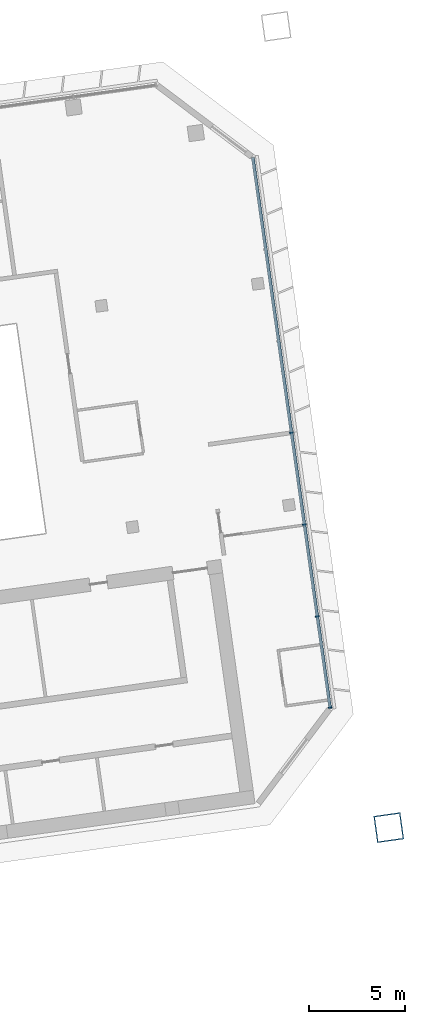
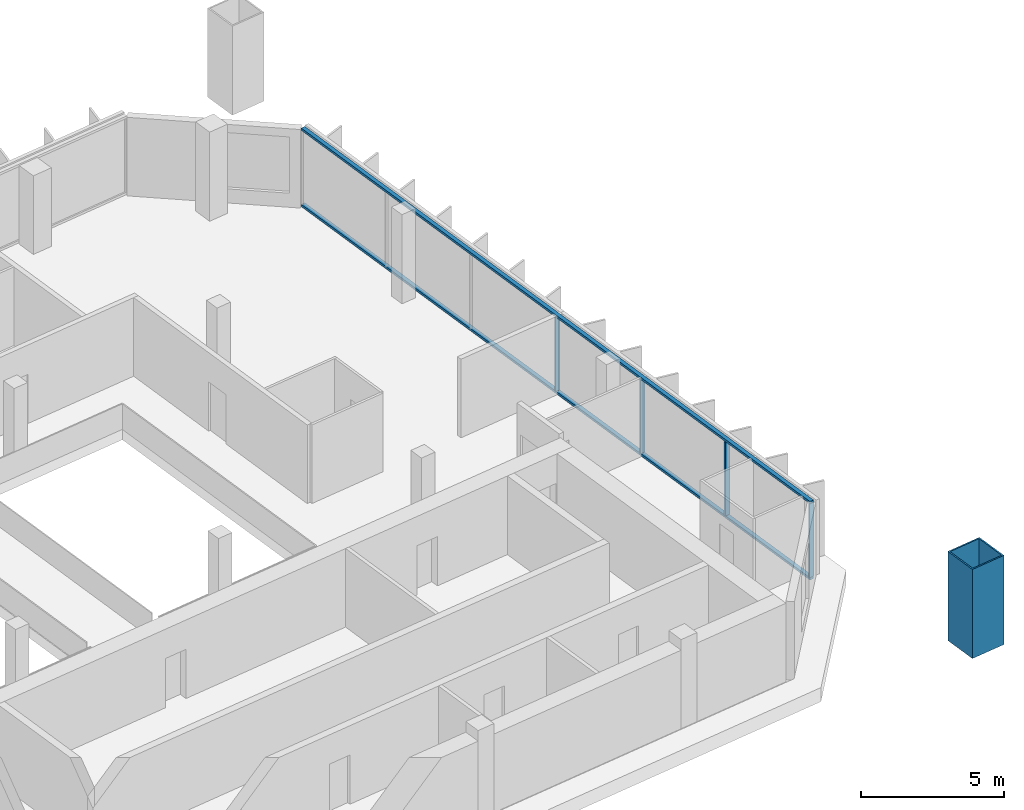
# One storey, part 11 of 26: 7 members, 1 element without a shape of its own.
"""IFC4 building model written with IfcOpenShell, lengths in metres."""

from ifc_helpers import new_model, si_unit, direction, frame, origin, origin_2d, place, context, subcontext, project, spatial, rectangle, hollow_rectangle, extrude, material, material_profile, profile_set, type_object, element, aggregate, save


model = new_model("IFC4")

# Units and contexts
model_context = context("Model", 3, precision=1e-05, world=origin(), true_north=direction((0.0, 1.0)))
body_context = subcontext(model_context, "Body", "Model", "MODEL_VIEW")
ifc_project = project(units=[si_unit("LENGTHUNIT", "METRE"), si_unit("AREAUNIT", "SQUARE_METRE"), si_unit("VOLUMEUNIT", "CUBIC_METRE"), si_unit("PLANEANGLEUNIT", "RADIAN"), si_unit("MASSUNIT", "GRAM", prefix="KILO")], contexts=[model_context])

# Site, building, storey
site_placement = place(None, origin())
site = spatial("IfcSite", under=ifc_project, at=site_placement, CompositionType="ELEMENT")
building_placement = place(site_placement, origin())
building = spatial("IfcBuilding", under=site, at=building_placement, Name="Mirante Cascada Hotel Towers", CompositionType="ELEMENT")
storey_placement = place(building_placement, frame((0.0, 0.0, 203.0)))
storey = spatial("IfcBuildingStorey", under=building, at=storey_placement, Name="L48", CompositionType="ELEMENT", Elevation=203.0)

# Member
ifc_material_1 = material(Name="Steel ASTM A572 Gr 50", Category="steel")
ifc_material_profile_1 = material_profile(ifc_material_1, hollow_rectangle(XDim=1.4, YDim=1.4, WallThickness=0.06, at=origin_2d()), Name="Box post 1400x1400x60 ASTM A572 Gr 50")
ifc_profile_set_1 = profile_set([ifc_material_profile_1], Name="Steel ASTM A572 Gr 50")
member_type_1 = type_object("IfcMemberType", Name="Box post 1400x1400x60 ASTM A572 Gr 50", PredefinedType="POST", material=ifc_profile_set_1)
member_1_placement = place(storey_placement, frame((88.3776, -15.0019, 0.0), z_axis=(0.0, 0.0, 1.0), x_axis=(0.9902681, 0.1391731, 0.0)))
element("IfcMember", 1, at=member_1_placement, inside=storey, type_object=member_type_1, Name="Mega column MP4 T2 L48", PredefinedType="POST", context=body_context, shape_type="SweptSolid", body=[
    extrude(hollow_rectangle(XDim=1.4, YDim=1.4, WallThickness=0.06, at=origin_2d()), origin(), (0.0, 0.0, 1.0), 3.8),
])

# Curtain wall, members
ifc_material_2 = material(Name="Aluminium mullion and transom frame with clear laminated glass", Category="aluminium")
curtain_wall_type = type_object("IfcCurtainWallType", Name="End ribbon curtain wall ECW2", PredefinedType="NOTDEFINED", material=ifc_material_2)
curtain_wall_placement = place(storey_placement, origin())
curtain_wall = element("IfcCurtainWall", 2, at=curtain_wall_placement, inside=storey, type_object=curtain_wall_type, Name="Outer end wall T2 L48", PredefinedType="NOTDEFINED")
ifc_material_3 = material(Name="Anodised aluminium extrusion", Category="aluminium")
ifc_material_profile_2 = material_profile(ifc_material_3, rectangle(XDim=0.2, YDim=0.065, at=origin_2d()), Name="ECW2 MULLION 65x200")
ifc_profile_set_2 = profile_set([ifc_material_profile_2], Name="Anodised aluminium extrusion")
member_type_2 = type_object("IfcMemberType", Name="ECW2 mullion 65x200", PredefinedType="MULLION", material=ifc_profile_set_2)
member_2_placement = place(storey_placement, frame((85.3308, -8.7707, 0.1), z_axis=(0.0, 0.0, 1.0), x_axis=(-0.9902681, -0.1391731, 0.0)))
member_2 = element("IfcMember", 3, at=member_2_placement, type_object=member_type_2, Name="ECW2 mullion 1", PredefinedType="MULLION", context=body_context, shape_type="SweptSolid", body=[
    extrude(rectangle(XDim=0.2, YDim=0.065, at=origin_2d()), origin(), (0.0, 0.0, 1.0), 3.15),
])
member_3_placement = place(storey_placement, frame((84.6655, -4.0371, 0.1), z_axis=(0.0, 0.0, 1.0), x_axis=(-0.9902681, -0.1391731, 0.0)))
member_3 = element("IfcMember", 4, at=member_3_placement, type_object=member_type_2, Name="ECW2 mullion 2", PredefinedType="MULLION", context=body_context, shape_type="SweptSolid", body=[
    extrude(rectangle(XDim=0.2, YDim=0.065, at=origin_2d()), origin(), (0.0, 0.0, 1.0), 3.15),
])
member_4_placement = place(storey_placement, frame((83.9957, 0.7287, 0.1), z_axis=(0.0, 0.0, 1.0), x_axis=(-0.9902681, -0.1391731, 0.0)))
member_4 = element("IfcMember", 5, at=member_4_placement, type_object=member_type_2, Name="ECW2 mullion 3", PredefinedType="MULLION", context=body_context, shape_type="SweptSolid", body=[
    extrude(rectangle(XDim=0.2, YDim=0.065, at=origin_2d()), origin(), (0.0, 0.0, 1.0), 3.15),
])
member_5_placement = place(storey_placement, frame((83.3259, 5.4945, 0.1), z_axis=(0.0, 0.0, 1.0), x_axis=(-0.9902681, -0.1391731, 0.0)))
member_5 = element("IfcMember", 6, at=member_5_placement, type_object=member_type_2, Name="ECW2 mullion 4", PredefinedType="MULLION", context=body_context, shape_type="SweptSolid", body=[
    extrude(rectangle(XDim=0.2, YDim=0.065, at=origin_2d()), origin(), (0.0, 0.0, 1.0), 3.15),
])
ifc_material_4 = material(Name="Anodised aluminium extrusion", Category="aluminium")
ifc_material_profile_3 = material_profile(ifc_material_4, rectangle(XDim=0.16, YDim=0.1, at=origin_2d()), Name="ECW2 TRANSOM 100x160")
ifc_profile_set_3 = profile_set([ifc_material_profile_3], Name="Anodised aluminium extrusion")
member_type_3 = type_object("IfcMemberType", Name="ECW2 transom 100x160", PredefinedType="USERDEFINED", material=ifc_profile_set_3)
member_6_placement = place(storey_placement, frame((85.3353, -8.8029, 0.05), z_axis=(-0.1391723, 0.9902682, 0.0), x_axis=(-0.9902682, -0.1391723, 0.0)))
member_6 = element("IfcMember", 7, at=member_6_placement, type_object=member_type_3, Name="ECW2 sill transom", ObjectType="TRANSOM", PredefinedType="USERDEFINED", context=body_context, shape_type="SweptSolid", body=[
    extrude(rectangle(XDim=0.16, YDim=0.1, at=origin_2d()), origin(), (0.0, 0.0, 1.0), 28.8757),
])
member_7_placement = place(storey_placement, frame((85.3353, -8.8029, 3.3), z_axis=(-0.1391723, 0.9902682, 0.0), x_axis=(-0.9902682, -0.1391723, 0.0)))
member_7 = element("IfcMember", 8, at=member_7_placement, type_object=member_type_3, Name="ECW2 head transom", ObjectType="TRANSOM", PredefinedType="USERDEFINED", context=body_context, shape_type="SweptSolid", body=[
    extrude(rectangle(XDim=0.16, YDim=0.1, at=origin_2d()), origin(), (0.0, 0.0, 1.0), 28.8757),
])
aggregate(curtain_wall, [member_6, member_7, member_2, member_3, member_4, member_5])

save(model, "model.ifc")
